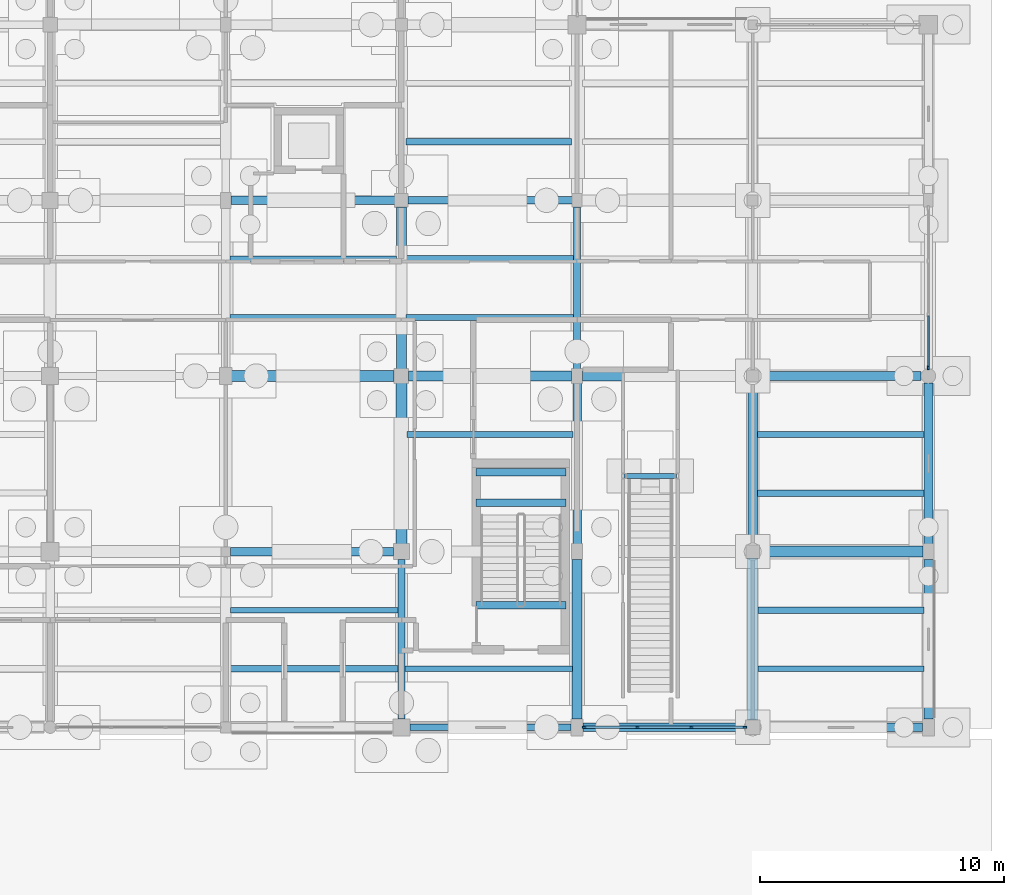
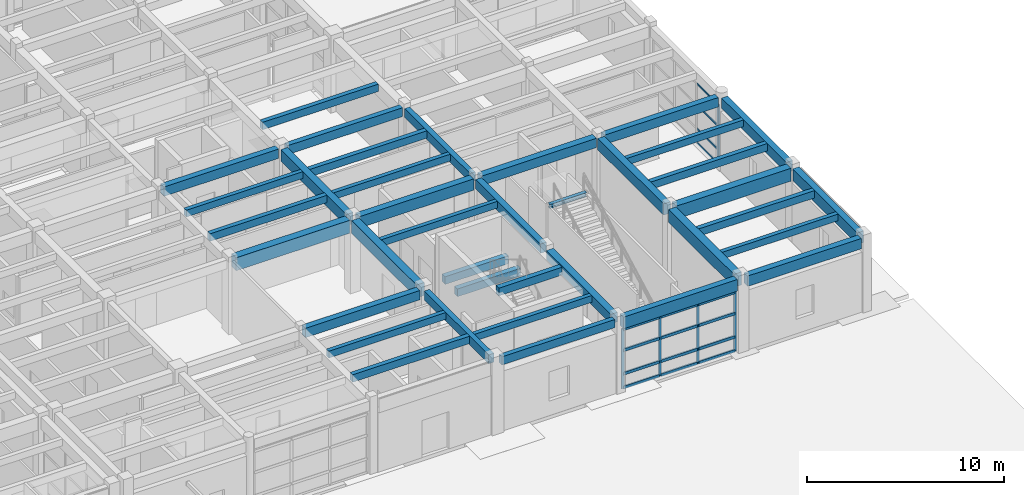
# One storey, part 73 of 143: 38 beams, 21 members, 2 elements without a shape of their own.
"""IFC4 building model written with IfcOpenShell, lengths in metres."""

import ifcopenshell
import ifcopenshell.guid

model = None  # the IFC model being written
_history = None  # IfcOwnerHistory: only IFC2X3 demands one
_inside = {}  # id of a spatial element -> (the spatial element, [elements in it])
_under = {}  # id of a project, library or spatial element -> (it, [spatial elements below it])
_declared = {}  # id of a project -> (the project, [libraries it declares])
_typed = {}  # id of a type object -> (the type object, [elements of that type])
_made_of = {}  # id of a material, layer set ... -> (it, [elements and type objects made of it])


def new_model(schema):
    """Start an empty IFC model of exactly this schema.

    Asked for "IFC4X3", IfcOpenShell would pick the latest addendum, in which some entities
    have other attributes; the version numbers below select the first issue.
    IFC2X3 requires an IfcOwnerHistory on every rooted entity: one is made here for all.
    """
    global model, _history
    if schema == "IFC4X3":
        model = ifcopenshell.file(schema_version=(4, 3, 0, 0))
    else:
        model = ifcopenshell.file(schema=schema)
    _inside.clear()
    _under.clear()
    _declared.clear()
    _typed.clear()
    _made_of.clear()
    _history = None
    if model.schema == "IFC2X3":
        org = make("IfcOrganization", Name="unknown")
        user = make(
            "IfcPersonAndOrganization",
            ThePerson=make("IfcPerson", FamilyName="unknown"),
            TheOrganization=org,
        )
        app = make(
            "IfcApplication",
            ApplicationDeveloper=org,
            Version="unknown",
            ApplicationFullName="unknown",
            ApplicationIdentifier="unknown",
        )
        _history = make(
            "IfcOwnerHistory",
            OwningUser=user,
            OwningApplication=app,
            ChangeAction="ADDED",
            CreationDate=0,
        )
    return model


def make(cls, **values):
    """One entity of the class cls with the attributes given. An attribute that is None is left unset."""
    return model.create_entity(
        cls, **{name: value for name, value in values.items() if value is not None}
    )


def rooted(cls, **values):
    """An entity with a GlobalId (a new one), such as an element, a storey or a relation."""
    return make(cls, GlobalId=ifcopenshell.guid.new(), OwnerHistory=_history, **values)


def si_unit(unit_type, name, prefix=None):
    """IfcSIUnit, for example si_unit("LENGTHUNIT", "METRE", prefix="MILLI")."""
    return make("IfcSIUnit", UnitType=unit_type, Prefix=prefix, Name=name)


def assignment(units):
    """IfcUnitAssignment: the units of a project."""
    return None if units is None else make("IfcUnitAssignment", Units=units)


def point(xyz):
    """IfcCartesianPoint."""
    return None if xyz is None else make("IfcCartesianPoint", Coordinates=xyz)


def direction(xyz):
    """IfcDirection."""
    return None if xyz is None else make("IfcDirection", DirectionRatios=xyz)


def frame(location, z_axis=None, x_axis=None):
    """IfcAxis2Placement3D, a coordinate frame: its origin and axes. An axis left out is left unset."""
    return make(
        "IfcAxis2Placement3D",
        Location=point(location),
        Axis=direction(z_axis),
        RefDirection=direction(x_axis),
    )


def frame_2d(location, x_axis=None):
    """IfcAxis2Placement2D, a coordinate frame in the plane: its origin and x axis."""
    return make(
        "IfcAxis2Placement2D", Location=point(location), RefDirection=direction(x_axis)
    )


def origin():
    """The frame at (0, 0, 0) with its axes left unset."""
    return frame((0.0, 0.0, 0.0))


def origin_2d():
    """The frame at (0, 0) in the plane with its x axis left unset."""
    return frame_2d((0.0, 0.0))


def place(relative_to, where):
    """IfcLocalPlacement: puts the frame where relative to a parent placement (None: the world)."""
    return make(
        "IfcLocalPlacement", PlacementRelTo=relative_to, RelativePlacement=where
    )


def context(
    kind, dimensions, precision=None, world=None, true_north=None, identifier=None
):
    """IfcGeometricRepresentationContext, for example the 3D "Model" context."""
    return make(
        "IfcGeometricRepresentationContext",
        ContextIdentifier=identifier,
        ContextType=kind,
        CoordinateSpaceDimension=dimensions,
        Precision=precision,
        WorldCoordinateSystem=world,
        TrueNorth=true_north,
    )


def subcontext(parent, identifier, kind, view, scale=None):
    """IfcGeometricRepresentationSubContext, for example "Body" below "Model"."""
    return make(
        "IfcGeometricRepresentationSubContext",
        ContextIdentifier=identifier,
        ContextType=kind,
        ParentContext=parent,
        TargetScale=scale,
        TargetView=view,
    )


def project(units=None, contexts=None):
    """IfcProject with its units and contexts."""
    return rooted(
        "IfcProject",
        Name="project",
        RepresentationContexts=contexts,
        UnitsInContext=assignment(units),
    )


def spatial(cls, under=None, at=None, **own):
    """A site, building, storey or space (cls), placed at a placement, below another one or the project."""
    s = rooted(cls, ObjectPlacement=at, **own)
    if under is not None:
        _under.setdefault(under.id(), (under, []))[1].append(s)
    return s


def profile(cls, at=None, kind="AREA", **sizes):
    """A parametric profile (cls). Its sizes go by their IFC names, for example OverallWidth=200.0."""
    return make(cls, ProfileType=kind, Position=at, **sizes)


def rectangle(**sizes):
    """IfcRectangleProfileDef."""
    return profile("IfcRectangleProfileDef", **sizes)


def i_section(**sizes):
    """IfcIShapeProfileDef."""
    return profile("IfcIShapeProfileDef", **sizes)


def extrude(swept, where, along, depth):
    """IfcExtrudedAreaSolid: the profile swept, set in the frame where, extruded along a direction by depth."""
    return make(
        "IfcExtrudedAreaSolid",
        SweptArea=swept,
        Position=where,
        ExtrudedDirection=direction(along),
        Depth=depth,
    )


def shape(context_of_items, identifier, shape_type, items):
    """IfcShapeRepresentation: the items that make up one representation, for example the "Body"."""
    return make(
        "IfcShapeRepresentation",
        ContextOfItems=context_of_items,
        RepresentationIdentifier=identifier,
        RepresentationType=shape_type,
        Items=items,
    )


def material(Name=None, Category=None):
    """IfcMaterial."""
    return make("IfcMaterial", Name=Name, Category=Category)


def material_profile(
    of_material, cross_section, Name=None, Category=None, Priority=None
):
    """IfcMaterialProfile: a cross section and its material."""
    return make(
        "IfcMaterialProfile",
        Name=Name,
        Material=of_material,
        Profile=cross_section,
        Priority=Priority,
        Category=Category,
    )


def profile_set(profiles, Name=None, composite=None):
    """IfcMaterialProfileSet."""
    return make(
        "IfcMaterialProfileSet",
        Name=Name,
        MaterialProfiles=profiles,
        CompositeProfile=composite,
    )


def made_of(thing, what):
    """Note that an element or type object is made of a material, layer set ...; save() writes the relation."""
    if what is not None:
        _made_of.setdefault(what.id(), (what, []))[1].append(thing)
    return thing


def type_object(cls, material=None, **own):
    """A type object (cls), such as IfcWallType, which elements share."""
    return made_of(rooted(cls, **own), material)


def element(
    cls,
    number,
    at=None,
    inside=None,
    cuts=None,
    type_object=None,
    material=None,
    context=None,
    identifier="Body",
    shape_type=None,
    held_by="IfcProductDefinitionShape",
    body=None,
    shapes=None,
    **own,
):
    """One element of the class cls, such as IfcWall. Its Tag is "e" and its number.

    at: its placement. inside: the storey or other place that contains it. cuts: it is an
    opening in that element (IfcRelVoidsElement). A single representation is given by context,
    identifier, shape_type and body (its items); several are given by shapes. held_by: the class
    of the entity that holds the representations. save() writes the other relations.
    """
    e = rooted(cls, Tag="e%d" % number, ObjectPlacement=at, **own)
    if body is not None:
        shapes = [shape(context, identifier, shape_type, body)]
    if shapes is not None:
        e.Representation = make(held_by, Representations=shapes)
    if inside is not None:
        _inside.setdefault(inside.id(), (inside, []))[1].append(e)
    if cuts is not None:
        rooted(
            "IfcRelVoidsElement", RelatingBuildingElement=cuts, RelatedOpeningElement=e
        )
    if type_object is not None:
        _typed.setdefault(type_object.id(), (type_object, []))[1].append(e)
    return made_of(e, material)


def aggregate(whole, parts):
    """IfcRelAggregates: a whole, such as a stair, and the parts it consists of."""
    return rooted("IfcRelAggregates", RelatingObject=whole, RelatedObjects=parts)


def save(model, path):
    """Write the relations noted so far, then the file.

    IfcRelAggregates (storeys below a building ...), IfcRelContainedInSpatialStructure (elements
    in a storey), IfcRelDefinesByType, IfcRelAssociatesMaterial and IfcRelDeclares: one each for
    every whole, place, type object, material and project.
    """
    for whole, parts in _under.values():
        aggregate(whole, parts)
    for where, things in _inside.values():
        rooted(
            "IfcRelContainedInSpatialStructure",
            RelatedElements=things,
            RelatingStructure=where,
        )
    for kind, things in _typed.values():
        rooted("IfcRelDefinesByType", RelatedObjects=things, RelatingType=kind)
    for what, things in _made_of.values():
        rooted("IfcRelAssociatesMaterial", RelatedObjects=things, RelatingMaterial=what)
    for by, libraries in _declared.values():
        rooted("IfcRelDeclares", RelatingContext=by, RelatedDefinitions=libraries)
    model.write(path)


model = new_model("IFC4")

# Units and contexts
model_context = context("Model", 3, precision=1e-05, world=origin(), true_north=direction((0.0, 1.0)))
body_context = subcontext(model_context, "Body", "Model", "MODEL_VIEW")
ifc_project = project(units=[si_unit("LENGTHUNIT", "METRE"), si_unit("AREAUNIT", "SQUARE_METRE"), si_unit("VOLUMEUNIT", "CUBIC_METRE"), si_unit("PLANEANGLEUNIT", "RADIAN"), si_unit("MASSUNIT", "GRAM", prefix="KILO")], contexts=[model_context])

# Site, building, storey
site_placement = place(None, origin())
site = spatial("IfcSite", under=ifc_project, at=site_placement, CompositionType="ELEMENT")
building_placement = place(site_placement, origin())
building = spatial("IfcBuilding", under=site, at=building_placement, Name="Steenspoor Specialist Clinic", CompositionType="ELEMENT")
storey_placement = place(building_placement, origin())
storey = spatial("IfcBuildingStorey", under=building, at=storey_placement, Name="L00", CompositionType="ELEMENT", Elevation=0.0)

# Beams
ifc_material_1 = material(Name="Concrete C35/45", Category="concrete")
ifc_material_profile_1 = material_profile(ifc_material_1, rectangle(XDim=0.300048828125, YDim=0.47998046875, at=origin_2d()), Name="RC-BM-300X480")
ifc_profile_set_1 = profile_set([ifc_material_profile_1], Name="Concrete C35/45")
beam_type_1 = type_object("IfcBeamType", Name="BM-RC-300X480", PredefinedType="BEAM", material=ifc_profile_set_1)
for number, where, z_axis, x_axis, name in (
    (1, (142.64990234375, 74.35009765625, 1.9599609375), (1.0, 0.0, 0.0), (0.0, 1.0, 0.0), "Stair Mid-Landing Bearer 1 ST-V6B L00"),
    (2, (142.64990234375, 75.60009765625, 1.9599609375), (1.0, 0.0, 0.0), (0.0, 1.0, 0.0), "Stair Mid-Landing Bearer 2 ST-V6B L00"),
    (3, (142.64990234375, 70.14990234375, 4.56005859375), (1.0, 0.0, 0.0), (0.0, 1.0, 0.0), "Stair Well Trimmer Beam ST-V6B L00"),
):
    element("IfcBeam", number, at=place(storey_placement, frame(where, z_axis=z_axis, x_axis=x_axis)), inside=storey, type_object=beam_type_1, Name=name, PredefinedType="BEAM", context=body_context, shape_type="SweptSolid", body=[
        extrude(rectangle(XDim=0.300048828125, YDim=0.47998046875, at=origin_2d()), origin(), (0.0, 0.0, 1.0), 3.7001953125),
    ])
ifc_material_profile_2 = material_profile(ifc_material_1, rectangle(XDim=0.300048828125, YDim=0.550048828125, at=origin_2d()), Name="RC-BM-300X550")
ifc_profile_set_2 = profile_set([ifc_material_profile_2], Name="Concrete C35/45")
beam_type_2 = type_object("IfcBeamType", Name="BM-RC-300X550", PredefinedType="BEAM", material=ifc_profile_set_2)
beam_1_placement = place(storey_placement, frame((139.8701171875, 86.75, 4.2451171875), z_axis=(1.0, 0.0, 0.0), x_axis=(0.0, 1.0, 0.0)))
element("IfcBeam", 4, at=beam_1_placement, inside=storey, type_object=beam_type_2, Name="BM-V6-L00-X1375", PredefinedType="BEAM", context=body_context, shape_type="SweptSolid", body=[
    extrude(rectangle(XDim=0.300048828125, YDim=0.550048828125, at=origin_2d()), origin(), (0.0, 0.0, 1.0), 6.73486328125),
])
beam_2_placement = place(storey_placement, frame((139.60009765625, 65.4951171875, 4.2451171875), z_axis=(0.0, 1.0, 0.0), x_axis=(-1.0, 0.0, 0.0)))
element("IfcBeam", 5, at=beam_2_placement, inside=storey, type_object=beam_type_2, Name="BM-V6-L00-Y1408", PredefinedType="BEAM", context=body_context, shape_type="SweptSolid", body=[
    extrude(rectangle(XDim=0.300048828125, YDim=0.550048828125, at=origin_2d()), origin(), (0.0, 0.0, 1.0), 6.534912109375),
])
beam_3_placement = place(storey_placement, frame((146.800048828125, 79.844970703125, 4.2451171875), z_axis=(0.0, 1.0, 0.0), x_axis=(-1.0, 0.0, 0.0)))
element("IfcBeam", 6, at=beam_3_placement, inside=storey, type_object=beam_type_2, Name="BM-V6-L00-Y1416", PredefinedType="BEAM", context=body_context, shape_type="SweptSolid", body=[
    extrude(rectangle(XDim=0.300048828125, YDim=0.550048828125, at=origin_2d()), origin(), (0.0, 0.0, 1.0), 6.635009765625),
])
ifc_material_profile_3 = material_profile(ifc_material_1, rectangle(XDim=0.35009765625, YDim=0.580078125, at=origin_2d()), Name="RC-BM-350X580")
ifc_profile_set_3 = profile_set([ifc_material_profile_3], Name="Concrete C35/45")
beam_type_3 = type_object("IfcBeamType", Name="BM-RC-350X580", PredefinedType="BEAM", material=ifc_profile_set_3)
beam_4_placement = place(storey_placement, frame((132.594970703125, 72.35009765625, 4.22998046875), z_axis=(1.0, 0.0, 0.0), x_axis=(0.0, 1.0, 0.0)))
element("IfcBeam", 7, at=beam_4_placement, inside=storey, type_object=beam_type_3, Name="BM-V6-L00-X1364", PredefinedType="BEAM", context=body_context, shape_type="SweptSolid", body=[
    extrude(rectangle(XDim=0.35009765625, YDim=0.580078125, at=origin_2d()), origin(), (0.0, 0.0, 1.0), 6.68505859375),
])
beam_5_placement = place(storey_placement, frame((154.2451171875, 79.550048828125, 4.22998046875), z_axis=(1.0, 0.0, 0.0), x_axis=(0.0, 1.0, 0.0)))
element("IfcBeam", 8, at=beam_5_placement, inside=storey, type_object=beam_type_3, Name="BM-V6-L00-X1371", PredefinedType="BEAM", context=body_context, shape_type="SweptSolid", body=[
    extrude(rectangle(XDim=0.35009765625, YDim=0.580078125, at=origin_2d()), origin(), (0.0, 0.0, 1.0), 6.659912109375),
])
beam_6_placement = place(storey_placement, frame((132.6201171875, 86.75, 4.22998046875), z_axis=(1.0, 0.0, 0.0), x_axis=(0.0, 1.0, 0.0)))
element("IfcBeam", 9, at=beam_6_placement, inside=storey, type_object=beam_type_3, Name="BM-V6-L00-X1374", PredefinedType="BEAM", context=body_context, shape_type="SweptSolid", body=[
    extrude(rectangle(XDim=0.35009765625, YDim=0.580078125, at=origin_2d()), origin(), (0.0, 0.0, 1.0), 6.7099609375),
])
beam_7_placement = place(storey_placement, frame((146.800048828125, 72.669921875, 4.22998046875), z_axis=(0.0, 1.0, 0.0), x_axis=(-1.0, 0.0, 0.0)))
element("IfcBeam", 10, at=beam_7_placement, inside=storey, type_object=beam_type_3, Name="BM-V6-L00-Y1415", PredefinedType="BEAM", context=body_context, shape_type="SweptSolid", body=[
    extrude(rectangle(XDim=0.35009765625, YDim=0.580078125, at=origin_2d()), origin(), (0.0, 0.0, 1.0), 6.5849609375),
])
ifc_material_profile_4 = material_profile(ifc_material_1, rectangle(XDim=0.39990234375, YDim=0.580078125, at=origin_2d()), Name="RC-BM-400X580")
ifc_profile_set_4 = profile_set([ifc_material_profile_4], Name="Concrete C35/45")
beam_type_4 = type_object("IfcBeamType", Name="BM-RC-400X580", PredefinedType="BEAM", material=ifc_profile_set_4)
beam_8_placement = place(storey_placement, frame((147.02001953125, 79.550048828125, 4.22998046875), z_axis=(1.0, 0.0, 0.0), x_axis=(0.0, 1.0, 0.0)))
element("IfcBeam", 11, at=beam_8_placement, inside=storey, type_object=beam_type_4, Name="BM-V6-L00-X1370", PredefinedType="BEAM", context=body_context, shape_type="SweptSolid", body=[
    extrude(rectangle(XDim=0.39990234375, YDim=0.580078125, at=origin_2d()), origin(), (0.0, 0.0, 1.0), 6.73486328125),
])
beam_9_placement = place(storey_placement, frame((146.800048828125, 65.4951171875, 4.22998046875), z_axis=(0.0, 1.0, 0.0), x_axis=(-1.0, 0.0, 0.0)))
element("IfcBeam", 12, at=beam_9_placement, inside=storey, type_object=beam_type_4, Name="BM-V6-L00-Y1414", PredefinedType="BEAM", context=body_context, shape_type="SweptSolid", body=[
    extrude(rectangle(XDim=0.39990234375, YDim=0.580078125, at=origin_2d()), origin(), (0.0, 0.0, 1.0), 6.534912109375),
])
ifc_material_profile_5 = material_profile(ifc_material_1, rectangle(XDim=0.39990234375, YDim=0.699951171875, at=origin_2d()), Name="RC-BM-400X700")
ifc_profile_set_5 = profile_set([ifc_material_profile_5], Name="Concrete C35/45")
beam_type_5 = type_object("IfcBeamType", Name="BM-RC-400X700", PredefinedType="BEAM", material=ifc_profile_set_5)
beam_10_placement = place(storey_placement, frame((139.89501953125, 79.550048828125, 4.169921875), z_axis=(1.0, 0.0, 0.0), x_axis=(0.0, 1.0, 0.0)))
element("IfcBeam", 13, at=beam_10_placement, inside=storey, type_object=beam_type_5, Name="BM-V6-L00-X1369", PredefinedType="BEAM", context=body_context, shape_type="SweptSolid", body=[
    extrude(rectangle(XDim=0.39990234375, YDim=0.699951171875, at=origin_2d()), origin(), (0.0, 0.0, 1.0), 6.68505859375),
])
beam_11_placement = place(storey_placement, frame((139.60009765625, 79.844970703125, 4.169921875), z_axis=(0.0, 1.0, 0.0), x_axis=(-1.0, 0.0, 0.0)))
element("IfcBeam", 14, at=beam_11_placement, inside=storey, type_object=beam_type_5, Name="BM-V6-L00-Y1410", PredefinedType="BEAM", context=body_context, shape_type="SweptSolid", body=[
    extrude(rectangle(XDim=0.39990234375, YDim=0.699951171875, at=origin_2d()), origin(), (0.0, 0.0, 1.0), 6.635009765625),
])
beam_12_placement = place(storey_placement, frame((154.0, 72.6201171875, 4.169921875), z_axis=(0.0, 1.0, 0.0), x_axis=(-1.0, 0.0, 0.0)))
element("IfcBeam", 15, at=beam_12_placement, inside=storey, type_object=beam_type_5, Name="BM-V6-L00-Y1421", PredefinedType="BEAM", context=body_context, shape_type="SweptSolid", body=[
    extrude(rectangle(XDim=0.39990234375, YDim=0.699951171875, at=origin_2d()), origin(), (0.0, 0.0, 1.0), 6.684814453125),
])
ifc_material_profile_6 = material_profile(ifc_material_1, rectangle(XDim=0.449951171875, YDim=0.800048828125, at=origin_2d()), Name="RC-BM-450X800")
ifc_profile_set_6 = profile_set([ifc_material_profile_6], Name="Concrete C35/45")
beam_type_6 = type_object("IfcBeamType", Name="BM-RC-450X800", PredefinedType="BEAM", material=ifc_profile_set_6)
beam_13_placement = place(storey_placement, frame((154.27001953125, 72.35009765625, 4.1201171875), z_axis=(1.0, 0.0, 0.0), x_axis=(0.0, 1.0, 0.0)))
element("IfcBeam", 16, at=beam_13_placement, inside=storey, type_object=beam_type_6, Name="BM-V6-L00-X1365", PredefinedType="BEAM", context=body_context, shape_type="SweptSolid", body=[
    extrude(rectangle(XDim=0.449951171875, YDim=0.800048828125, at=origin_2d()), origin(), (0.0, 0.0, 1.0), 6.7099609375),
])
beam_14_placement = place(storey_placement, frame((132.64501953125, 79.550048828125, 4.1201171875), z_axis=(1.0, 0.0, 0.0), x_axis=(0.0, 1.0, 0.0)))
element("IfcBeam", 17, at=beam_14_placement, inside=storey, type_object=beam_type_6, Name="BM-V6-L00-X1368", PredefinedType="BEAM", context=body_context, shape_type="SweptSolid", body=[
    extrude(rectangle(XDim=0.449951171875, YDim=0.800048828125, at=origin_2d()), origin(), (0.0, 0.0, 1.0), 6.659912109375),
])
beam_15_placement = place(storey_placement, frame((139.60009765625, 72.669921875, 4.1201171875), z_axis=(0.0, 1.0, 0.0), x_axis=(-1.0, 0.0, 0.0)))
element("IfcBeam", 18, at=beam_15_placement, inside=storey, type_object=beam_type_6, Name="BM-V6-L00-Y1409", PredefinedType="BEAM", context=body_context, shape_type="SweptSolid", body=[
    extrude(rectangle(XDim=0.449951171875, YDim=0.800048828125, at=origin_2d()), origin(), (0.0, 0.0, 1.0), 6.5849609375),
])
beam_16_placement = place(storey_placement, frame((154.0, 65.445068359375, 4.1201171875), z_axis=(0.0, 1.0, 0.0), x_axis=(-1.0, 0.0, 0.0)))
element("IfcBeam", 19, at=beam_16_placement, inside=storey, type_object=beam_type_6, Name="BM-V6-L00-Y1420", PredefinedType="BEAM", context=body_context, shape_type="SweptSolid", body=[
    extrude(rectangle(XDim=0.449951171875, YDim=0.800048828125, at=origin_2d()), origin(), (0.0, 0.0, 1.0), 6.635009765625),
])
ifc_material_2 = material(Name="Steel A992 Grade 50", Category="steel")
ifc_material_profile_7 = material_profile(ifc_material_2, i_section(OverallWidth=0.202880859375, OverallDepth=0.251953125, WebThickness=0.008056640625, FlangeThickness=0.013427734375, at=origin_2d()), Name="W250X58")
ifc_profile_set_7 = profile_set([ifc_material_profile_7], Name="Steel A992 Grade 50")
beam_type_7 = type_object("IfcBeamType", Name="BM-ST-W250X58", PredefinedType="JOIST", material=ifc_profile_set_7)
beam_17_placement = place(storey_placement, frame((148.72509765625, 75.449951171875, 4.469970703125), z_axis=(1.0, 0.0, 0.0), x_axis=(0.0, 1.0, 0.0)))
element("IfcBeam", 20, at=beam_17_placement, inside=storey, type_object=beam_type_7, Name="Feature Stair Landing Bearer ST-F04", PredefinedType="JOIST", context=body_context, shape_type="SweptSolid", body=[
    extrude(i_section(OverallWidth=0.202880859375, OverallDepth=0.251953125, WebThickness=0.008056640625, FlangeThickness=0.013427734375, at=origin_2d()), origin(), (0.0, 0.0, 1.0), 2.14990234375),
])

# Curtain wall, members
ifc_material_3 = material(Name="Thermally broken aluminium and low-emissivity glass", Category="aluminium")
curtain_wall_type_1 = type_object("IfcCurtainWallType", Name="CW-WLK-640X340", PredefinedType="USERDEFINED", material=ifc_material_3)
curtain_wall_1_placement = place(storey_placement, origin())
curtain_wall_1 = element("IfcCurtainWall", 21, at=curtain_wall_1_placement, inside=storey, type_object=curtain_wall_type_1, Name="Unitised Curtain Wall CW-V6-L00-164", ObjectType="UNITISED GLAZING", PredefinedType="USERDEFINED")
ifc_material_4 = material(Name="Thermally broken aluminium 6063-T6", Category="aluminium")
ifc_material_profile_8 = material_profile(ifc_material_4, rectangle(XDim=0.070068359375, YDim=0.1650390625, at=origin_2d()), Name="CWM-70X165")
ifc_profile_set_8 = profile_set([ifc_material_profile_8], Name="Thermally broken aluminium 6063-T6")
member_type_1 = type_object("IfcMemberType", Name="CW-MULL-70X165", PredefinedType="MULLION", material=ifc_profile_set_8)
member_1_placement = place(storey_placement, frame((153.6650390625, 65.14990234375, 0.0), z_axis=(0.0, 0.0, 1.0), x_axis=(0.0, -1.0, 0.0)))
member_1 = element("IfcMember", 22, at=member_1_placement, type_object=member_type_1, Name="CW-20 mullion 1", PredefinedType="MULLION", context=body_context, shape_type="SweptSolid", body=[
    extrude(rectangle(XDim=0.070068359375, YDim=0.1650390625, at=origin_2d()), origin(), (0.0, 0.0, 1.0), 3.699951171875),
])
member_2_placement = place(storey_placement, frame((151.4833984375, 65.14990234375, 0.0), z_axis=(0.0, 0.0, 1.0), x_axis=(0.0, -1.0, 0.0)))
member_2 = element("IfcMember", 23, at=member_2_placement, type_object=member_type_1, Name="CW-20 mullion 2", PredefinedType="MULLION", context=body_context, shape_type="SweptSolid", body=[
    extrude(rectangle(XDim=0.070068359375, YDim=0.1650390625, at=origin_2d()), origin(), (0.0, 0.0, 1.0), 3.699951171875),
])
member_3_placement = place(storey_placement, frame((149.2666015625, 65.14990234375, 0.0), z_axis=(0.0, 0.0, 1.0), x_axis=(0.0, -1.0, 0.0)))
member_3 = element("IfcMember", 24, at=member_3_placement, type_object=member_type_1, Name="CW-20 mullion 3", PredefinedType="MULLION", context=body_context, shape_type="SweptSolid", body=[
    extrude(rectangle(XDim=0.070068359375, YDim=0.1650390625, at=origin_2d()), origin(), (0.0, 0.0, 1.0), 3.699951171875),
])
member_4_placement = place(storey_placement, frame((147.0849609375, 65.14990234375, 0.0), z_axis=(0.0, 0.0, 1.0), x_axis=(0.0, -1.0, 0.0)))
member_4 = element("IfcMember", 25, at=member_4_placement, type_object=member_type_1, Name="CW-20 mullion 4", PredefinedType="MULLION", context=body_context, shape_type="SweptSolid", body=[
    extrude(rectangle(XDim=0.070068359375, YDim=0.1650390625, at=origin_2d()), origin(), (0.0, 0.0, 1.0), 3.699951171875),
])

curtain_wall_type_2 = type_object("IfcCurtainWallType", Name="CW-SCR-360X320", PredefinedType="USERDEFINED", material=ifc_material_3)
curtain_wall_2_placement = place(storey_placement, origin())
curtain_wall_2 = element("IfcCurtainWall", 26, at=curtain_wall_2_placement, inside=storey, type_object=curtain_wall_type_2, Name="Unitised Curtain Wall CW-V6-L00-163", ObjectType="UNITISED GLAZING", PredefinedType="USERDEFINED")
ifc_material_profile_9 = material_profile(ifc_material_4, rectangle(XDim=0.080078125, YDim=0.179931640625, at=origin_2d()), Name="CWM-80X180")
ifc_profile_set_9 = profile_set([ifc_material_profile_9], Name="Thermally broken aluminium 6063-T6")
member_type_2 = type_object("IfcMemberType", Name="CW-MULL-80X180", PredefinedType="MULLION", material=ifc_profile_set_9)
member_5_placement = place(storey_placement, frame((161.199951171875, 79.889892578125, 0.0), z_axis=(0.0, 0.0, 1.0), x_axis=(1.0, 0.0, 0.0)))
member_5 = element("IfcMember", 27, at=member_5_placement, type_object=member_type_2, Name="CW-19 mullion 4", PredefinedType="MULLION", context=body_context, shape_type="SweptSolid", body=[
    extrude(rectangle(XDim=0.080078125, YDim=0.179931640625, at=origin_2d()), origin(), (0.0, 0.0, 1.0), 3.699951171875),
])
ifc_material_profile_10 = material_profile(ifc_material_4, rectangle(XDim=0.06005859375, YDim=0.114990234375, at=origin_2d()), Name="CWT-60X115")
ifc_profile_set_10 = profile_set([ifc_material_profile_10], Name="Thermally broken aluminium 6063-T6")
member_type_3 = type_object("IfcMemberType", Name="CW-TRAN-60X115", PredefinedType="USERDEFINED", material=ifc_profile_set_10)
member_6_placement = place(storey_placement, frame((161.199951171875, 82.018310546875, 0.030029296875), z_axis=(0.0, -1.0, 0.0), x_axis=(1.0, 0.0, 0.0)))
member_6 = element("IfcMember", 28, at=member_6_placement, type_object=member_type_3, Name="CW-19 transom 3.1", ObjectType="TRANSOM", PredefinedType="USERDEFINED", context=body_context, shape_type="SweptSolid", body=[
    extrude(rectangle(XDim=0.06005859375, YDim=0.114990234375, at=origin_2d()), origin(), (0.0, 0.0, 1.0), 2.08837890625),
])
member_7_placement = place(storey_placement, frame((161.199951171875, 82.018310546875, 0.89990234375), z_axis=(0.0, -1.0, 0.0), x_axis=(1.0, 0.0, 0.0)))
member_7 = element("IfcMember", 29, at=member_7_placement, type_object=member_type_3, Name="CW-19 transom 3.2", ObjectType="TRANSOM", PredefinedType="USERDEFINED", context=body_context, shape_type="SweptSolid", body=[
    extrude(rectangle(XDim=0.06005859375, YDim=0.114990234375, at=origin_2d()), origin(), (0.0, 0.0, 1.0), 2.08837890625),
])
member_8_placement = place(storey_placement, frame((161.199951171875, 82.018310546875, 2.35009765625), z_axis=(0.0, -1.0, 0.0), x_axis=(1.0, 0.0, 0.0)))
member_8 = element("IfcMember", 30, at=member_8_placement, type_object=member_type_3, Name="CW-19 transom 3.3", ObjectType="TRANSOM", PredefinedType="USERDEFINED", context=body_context, shape_type="SweptSolid", body=[
    extrude(rectangle(XDim=0.06005859375, YDim=0.114990234375, at=origin_2d()), origin(), (0.0, 0.0, 1.0), 2.08837890625),
])
member_9_placement = place(storey_placement, frame((161.199951171875, 82.018310546875, 3.669921875), z_axis=(0.0, -1.0, 0.0), x_axis=(1.0, 0.0, 0.0)))
member_9 = element("IfcMember", 31, at=member_9_placement, type_object=member_type_3, Name="CW-19 transom 3.4", ObjectType="TRANSOM", PredefinedType="USERDEFINED", context=body_context, shape_type="SweptSolid", body=[
    extrude(rectangle(XDim=0.06005859375, YDim=0.114990234375, at=origin_2d()), origin(), (0.0, 0.0, 1.0), 2.08837890625),
])
aggregate(curtain_wall_2, [member_5, member_6, member_7, member_8, member_9])

# Member
ifc_material_profile_11 = material_profile(ifc_material_4, rectangle(XDim=0.090087890625, YDim=0.175048828125, at=origin_2d()), Name="CWT-90X175")
ifc_profile_set_11 = profile_set([ifc_material_profile_11], Name="Thermally broken aluminium 6063-T6")
member_type_4 = type_object("IfcMemberType", Name="CW-TRAN-90X175", PredefinedType="USERDEFINED", material=ifc_profile_set_11)
member_10_placement = place(storey_placement, frame((153.6298828125, 65.14990234375, 0.044921875), z_axis=(-1.0, 0.0, 0.0), x_axis=(0.0, -1.0, 0.0)))
member_10 = element("IfcMember", 32, at=member_10_placement, type_object=member_type_4, Name="CW-20 transom 1.1", ObjectType="TRANSOM", PredefinedType="USERDEFINED", context=body_context, shape_type="SweptSolid", body=[
    extrude(rectangle(XDim=0.090087890625, YDim=0.175048828125, at=origin_2d()), origin(), (0.0, 0.0, 1.0), 2.111572265625),
])

member_11_placement = place(storey_placement, frame((153.6298828125, 65.14990234375, 0.89990234375), z_axis=(-1.0, 0.0, 0.0), x_axis=(0.0, -1.0, 0.0)))
member_11 = element("IfcMember", 33, at=member_11_placement, type_object=member_type_4, Name="CW-20 transom 1.2", ObjectType="TRANSOM", PredefinedType="USERDEFINED", context=body_context, shape_type="SweptSolid", body=[
    extrude(rectangle(XDim=0.090087890625, YDim=0.175048828125, at=origin_2d()), origin(), (0.0, 0.0, 1.0), 2.111572265625),
])

member_12_placement = place(storey_placement, frame((153.6298828125, 65.14990234375, 2.35009765625), z_axis=(-1.0, 0.0, 0.0), x_axis=(0.0, -1.0, 0.0)))
member_12 = element("IfcMember", 34, at=member_12_placement, type_object=member_type_4, Name="CW-20 transom 1.3", ObjectType="TRANSOM", PredefinedType="USERDEFINED", context=body_context, shape_type="SweptSolid", body=[
    extrude(rectangle(XDim=0.090087890625, YDim=0.175048828125, at=origin_2d()), origin(), (0.0, 0.0, 1.0), 2.111572265625),
])

member_13_placement = place(storey_placement, frame((153.6298828125, 65.14990234375, 3.655029296875), z_axis=(-1.0, 0.0, 0.0), x_axis=(0.0, -1.0, 0.0)))
member_13 = element("IfcMember", 35, at=member_13_placement, type_object=member_type_4, Name="CW-20 transom 1.4", ObjectType="TRANSOM", PredefinedType="USERDEFINED", context=body_context, shape_type="SweptSolid", body=[
    extrude(rectangle(XDim=0.090087890625, YDim=0.175048828125, at=origin_2d()), origin(), (0.0, 0.0, 1.0), 2.111572265625),
])

member_14_placement = place(storey_placement, frame((151.4482421875, 65.14990234375, 0.044921875), z_axis=(-1.0, 0.0, 0.0), x_axis=(0.0, -1.0, 0.0)))
member_14 = element("IfcMember", 36, at=member_14_placement, type_object=member_type_4, Name="CW-20 transom 2.1", ObjectType="TRANSOM", PredefinedType="USERDEFINED", context=body_context, shape_type="SweptSolid", body=[
    extrude(rectangle(XDim=0.090087890625, YDim=0.175048828125, at=origin_2d()), origin(), (0.0, 0.0, 1.0), 2.146484375),
])

member_15_placement = place(storey_placement, frame((151.4482421875, 65.14990234375, 0.89990234375), z_axis=(-1.0, 0.0, 0.0), x_axis=(0.0, -1.0, 0.0)))
member_15 = element("IfcMember", 37, at=member_15_placement, type_object=member_type_4, Name="CW-20 transom 2.2", ObjectType="TRANSOM", PredefinedType="USERDEFINED", context=body_context, shape_type="SweptSolid", body=[
    extrude(rectangle(XDim=0.090087890625, YDim=0.175048828125, at=origin_2d()), origin(), (0.0, 0.0, 1.0), 2.146484375),
])

member_16_placement = place(storey_placement, frame((151.4482421875, 65.14990234375, 2.35009765625), z_axis=(-1.0, 0.0, 0.0), x_axis=(0.0, -1.0, 0.0)))
member_16 = element("IfcMember", 38, at=member_16_placement, type_object=member_type_4, Name="CW-20 transom 2.3", ObjectType="TRANSOM", PredefinedType="USERDEFINED", context=body_context, shape_type="SweptSolid", body=[
    extrude(rectangle(XDim=0.090087890625, YDim=0.175048828125, at=origin_2d()), origin(), (0.0, 0.0, 1.0), 2.146484375),
])

member_17_placement = place(storey_placement, frame((151.4482421875, 65.14990234375, 3.655029296875), z_axis=(-1.0, 0.0, 0.0), x_axis=(0.0, -1.0, 0.0)))
member_17 = element("IfcMember", 39, at=member_17_placement, type_object=member_type_4, Name="CW-20 transom 2.4", ObjectType="TRANSOM", PredefinedType="USERDEFINED", context=body_context, shape_type="SweptSolid", body=[
    extrude(rectangle(XDim=0.090087890625, YDim=0.175048828125, at=origin_2d()), origin(), (0.0, 0.0, 1.0), 2.146484375),
])

member_18_placement = place(storey_placement, frame((149.231689453125, 65.14990234375, 0.044921875), z_axis=(-1.0, 0.0, 0.0), x_axis=(0.0, -1.0, 0.0)))
member_18 = element("IfcMember", 40, at=member_18_placement, type_object=member_type_4, Name="CW-20 transom 3.1", ObjectType="TRANSOM", PredefinedType="USERDEFINED", context=body_context, shape_type="SweptSolid", body=[
    extrude(rectangle(XDim=0.090087890625, YDim=0.175048828125, at=origin_2d()), origin(), (0.0, 0.0, 1.0), 2.111572265625),
])

member_19_placement = place(storey_placement, frame((149.231689453125, 65.14990234375, 0.89990234375), z_axis=(-1.0, 0.0, 0.0), x_axis=(0.0, -1.0, 0.0)))
member_19 = element("IfcMember", 41, at=member_19_placement, type_object=member_type_4, Name="CW-20 transom 3.2", ObjectType="TRANSOM", PredefinedType="USERDEFINED", context=body_context, shape_type="SweptSolid", body=[
    extrude(rectangle(XDim=0.090087890625, YDim=0.175048828125, at=origin_2d()), origin(), (0.0, 0.0, 1.0), 2.111572265625),
])

member_20_placement = place(storey_placement, frame((149.231689453125, 65.14990234375, 2.35009765625), z_axis=(-1.0, 0.0, 0.0), x_axis=(0.0, -1.0, 0.0)))
member_20 = element("IfcMember", 42, at=member_20_placement, type_object=member_type_4, Name="CW-20 transom 3.3", ObjectType="TRANSOM", PredefinedType="USERDEFINED", context=body_context, shape_type="SweptSolid", body=[
    extrude(rectangle(XDim=0.090087890625, YDim=0.175048828125, at=origin_2d()), origin(), (0.0, 0.0, 1.0), 2.111572265625),
])

member_21_placement = place(storey_placement, frame((149.231689453125, 65.14990234375, 3.655029296875), z_axis=(-1.0, 0.0, 0.0), x_axis=(0.0, -1.0, 0.0)))
member_21 = element("IfcMember", 43, at=member_21_placement, type_object=member_type_4, Name="CW-20 transom 3.4", ObjectType="TRANSOM", PredefinedType="USERDEFINED", context=body_context, shape_type="SweptSolid", body=[
    extrude(rectangle(XDim=0.090087890625, YDim=0.175048828125, at=origin_2d()), origin(), (0.0, 0.0, 1.0), 2.111572265625),
])

aggregate(curtain_wall_1, [member_1, member_2, member_3, member_4, member_10, member_11, member_12, member_13, member_14, member_15, member_16, member_17, member_18, member_19, member_20, member_21])

# Beams
ifc_material_profile_12 = material_profile(ifc_material_1, rectangle(XDim=0.239990234375, YDim=0.419921875, at=origin_2d()), Name="RC-JT-240X420")
ifc_profile_set_12 = profile_set([ifc_material_profile_12], Name="Concrete C35/45")
beam_type_8 = type_object("IfcBeamType", Name="JT-RC-240X420", PredefinedType="JOIST", material=ifc_profile_set_12)
beam_18_placement = place(storey_placement, frame((132.594970703125, 69.949951171875, 4.31005859375), z_axis=(1.0, 0.0, 0.0), x_axis=(0.0, 1.0, 0.0)))
element("IfcBeam", 44, at=beam_18_placement, inside=storey, type_object=beam_type_8, Name="JT-V6-L00-1449", PredefinedType="JOIST", context=body_context, shape_type="SweptSolid", body=[
    extrude(rectangle(XDim=0.239990234375, YDim=0.419921875, at=origin_2d()), origin(), (0.0, 0.0, 1.0), 6.860107421875),
])
beam_19_placement = place(storey_placement, frame((132.570068359375, 84.35009765625, 4.31005859375), z_axis=(1.0, 0.0, 0.0), x_axis=(0.0, 1.0, 0.0)))
element("IfcBeam", 45, at=beam_19_placement, inside=storey, type_object=beam_type_8, Name="JT-V6-L00-1451", PredefinedType="JOIST", context=body_context, shape_type="SweptSolid", body=[
    extrude(rectangle(XDim=0.239990234375, YDim=0.419921875, at=origin_2d()), origin(), (0.0, 0.0, 1.0), 6.8349609375),
])
beam_20_placement = place(storey_placement, frame((139.7451171875, 67.550048828125, 4.31005859375), z_axis=(1.0, 0.0, 0.0), x_axis=(0.0, 1.0, 0.0)))
element("IfcBeam", 46, at=beam_20_placement, inside=storey, type_object=beam_type_8, Name="JT-V6-L00-1457", PredefinedType="JOIST", context=body_context, shape_type="SweptSolid", body=[
    extrude(rectangle(XDim=0.239990234375, YDim=0.419921875, at=origin_2d()), origin(), (0.0, 0.0, 1.0), 6.85986328125),
])
beam_21_placement = place(storey_placement, frame((139.820068359375, 77.14990234375, 4.31005859375), z_axis=(1.0, 0.0, 0.0), x_axis=(0.0, 1.0, 0.0)))
element("IfcBeam", 47, at=beam_21_placement, inside=storey, type_object=beam_type_8, Name="JT-V6-L00-1458", PredefinedType="JOIST", context=body_context, shape_type="SweptSolid", body=[
    extrude(rectangle(XDim=0.239990234375, YDim=0.419921875, at=origin_2d()), origin(), (0.0, 0.0, 1.0), 6.809814453125),
])
beam_22_placement = place(storey_placement, frame((139.794921875, 81.949951171875, 4.31005859375), z_axis=(1.0, 0.0, 0.0), x_axis=(0.0, 1.0, 0.0)))
element("IfcBeam", 48, at=beam_22_placement, inside=storey, type_object=beam_type_8, Name="JT-V6-L00-1459", PredefinedType="JOIST", context=body_context, shape_type="SweptSolid", body=[
    extrude(rectangle(XDim=0.239990234375, YDim=0.419921875, at=origin_2d()), origin(), (0.0, 0.0, 1.0), 6.860107421875),
])
beam_23_placement = place(storey_placement, frame((154.219970703125, 67.550048828125, 4.31005859375), z_axis=(1.0, 0.0, 0.0), x_axis=(0.0, 1.0, 0.0)))
element("IfcBeam", 49, at=beam_23_placement, inside=storey, type_object=beam_type_8, Name="JT-V6-L00-1471", PredefinedType="JOIST", context=body_context, shape_type="SweptSolid", body=[
    extrude(rectangle(XDim=0.239990234375, YDim=0.419921875, at=origin_2d()), origin(), (0.0, 0.0, 1.0), 6.804931640625),
])
beam_24_placement = place(storey_placement, frame((154.195068359375, 77.14990234375, 4.31005859375), z_axis=(1.0, 0.0, 0.0), x_axis=(0.0, 1.0, 0.0)))
element("IfcBeam", 50, at=beam_24_placement, inside=storey, type_object=beam_type_8, Name="JT-V6-L00-1474", PredefinedType="JOIST", context=body_context, shape_type="SweptSolid", body=[
    extrude(rectangle(XDim=0.239990234375, YDim=0.419921875, at=origin_2d()), origin(), (0.0, 0.0, 1.0), 6.829833984375),
])
ifc_material_profile_13 = material_profile(ifc_material_1, rectangle(XDim=0.260009765625, YDim=0.4599609375, at=origin_2d()), Name="RC-JT-260X460")
ifc_profile_set_13 = profile_set([ifc_material_profile_13], Name="Concrete C35/45")
beam_type_9 = type_object("IfcBeamType", Name="JT-RC-260X460", PredefinedType="JOIST", material=ifc_profile_set_13)
beam_25_placement = place(storey_placement, frame((132.594970703125, 67.550048828125, 4.2900390625), z_axis=(1.0, 0.0, 0.0), x_axis=(0.0, 1.0, 0.0)))
element("IfcBeam", 51, at=beam_25_placement, inside=storey, type_object=beam_type_9, Name="JT-V6-L00-1448", PredefinedType="JOIST", context=body_context, shape_type="SweptSolid", body=[
    extrude(rectangle(XDim=0.260009765625, YDim=0.4599609375, at=origin_2d()), origin(), (0.0, 0.0, 1.0), 6.860107421875),
])
beam_26_placement = place(storey_placement, frame((132.570068359375, 81.949951171875, 4.2900390625), z_axis=(1.0, 0.0, 0.0), x_axis=(0.0, 1.0, 0.0)))
element("IfcBeam", 52, at=beam_26_placement, inside=storey, type_object=beam_type_9, Name="JT-V6-L00-1450", PredefinedType="JOIST", context=body_context, shape_type="SweptSolid", body=[
    extrude(rectangle(XDim=0.260009765625, YDim=0.4599609375, at=origin_2d()), origin(), (0.0, 0.0, 1.0), 6.8349609375),
])
beam_27_placement = place(storey_placement, frame((139.794921875, 84.35009765625, 4.2900390625), z_axis=(1.0, 0.0, 0.0), x_axis=(0.0, 1.0, 0.0)))
element("IfcBeam", 53, at=beam_27_placement, inside=storey, type_object=beam_type_9, Name="JT-V6-L00-1460", PredefinedType="JOIST", context=body_context, shape_type="SweptSolid", body=[
    extrude(rectangle(XDim=0.260009765625, YDim=0.4599609375, at=origin_2d()), origin(), (0.0, 0.0, 1.0), 6.860107421875),
])
beam_28_placement = place(storey_placement, frame((139.794921875, 89.14990234375, 4.2900390625), z_axis=(1.0, 0.0, 0.0), x_axis=(0.0, 1.0, 0.0)))
element("IfcBeam", 54, at=beam_28_placement, inside=storey, type_object=beam_type_9, Name="JT-V6-L00-1461", PredefinedType="JOIST", context=body_context, shape_type="SweptSolid", body=[
    extrude(rectangle(XDim=0.260009765625, YDim=0.4599609375, at=origin_2d()), origin(), (0.0, 0.0, 1.0), 6.78515625),
])
beam_29_placement = place(storey_placement, frame((154.219970703125, 69.949951171875, 4.2900390625), z_axis=(1.0, 0.0, 0.0), x_axis=(0.0, 1.0, 0.0)))
element("IfcBeam", 55, at=beam_29_placement, inside=storey, type_object=beam_type_9, Name="JT-V6-L00-1472", PredefinedType="JOIST", context=body_context, shape_type="SweptSolid", body=[
    extrude(rectangle(XDim=0.260009765625, YDim=0.4599609375, at=origin_2d()), origin(), (0.0, 0.0, 1.0), 6.804931640625),
])
beam_30_placement = place(storey_placement, frame((154.195068359375, 74.75, 4.2900390625), z_axis=(1.0, 0.0, 0.0), x_axis=(0.0, 1.0, 0.0)))
element("IfcBeam", 56, at=beam_30_placement, inside=storey, type_object=beam_type_9, Name="JT-V6-L00-1473", PredefinedType="JOIST", context=body_context, shape_type="SweptSolid", body=[
    extrude(rectangle(XDim=0.260009765625, YDim=0.4599609375, at=origin_2d()), origin(), (0.0, 0.0, 1.0), 6.829833984375),
])
ifc_material_profile_14 = material_profile(ifc_material_1, rectangle(XDim=0.280029296875, YDim=0.5, at=origin_2d()), Name="RC-SP-280X500")
ifc_profile_set_14 = profile_set([ifc_material_profile_14], Name="Concrete C35/45")
beam_type_10 = type_object("IfcBeamType", Name="SP-RC-280X500", PredefinedType="SPANDREL", material=ifc_profile_set_14)
beam_31_placement = place(storey_placement, frame((139.945068359375, 65.14990234375, 4.27001953125), z_axis=(1.0, 0.0, 0.0), x_axis=(0.0, 1.0, 0.0)))
element("IfcBeam", 57, at=beam_31_placement, inside=storey, type_object=beam_type_10, Name="BM-V6-L00-X1359", PredefinedType="SPANDREL", context=body_context, shape_type="SweptSolid", body=[
    extrude(rectangle(XDim=0.280029296875, YDim=0.5, at=origin_2d()), origin(), (0.0, 0.0, 1.0), 6.60986328125),
])
ifc_material_profile_15 = material_profile(ifc_material_1, rectangle(XDim=0.360107421875, YDim=0.639892578125, at=origin_2d()), Name="RC-SP-360X640")
ifc_profile_set_15 = profile_set([ifc_material_profile_15], Name="Concrete C35/45")
beam_type_11 = type_object("IfcBeamType", Name="SP-RC-360X640", PredefinedType="SPANDREL", material=ifc_profile_set_15)
beam_32_placement = place(storey_placement, frame((154.294921875, 65.14990234375, 4.199951171875), z_axis=(1.0, 0.0, 0.0), x_axis=(0.0, 1.0, 0.0)))
element("IfcBeam", 58, at=beam_32_placement, inside=storey, type_object=beam_type_11, Name="BM-V6-L00-X1361", PredefinedType="SPANDREL", context=body_context, shape_type="SweptSolid", body=[
    extrude(rectangle(XDim=0.360107421875, YDim=0.639892578125, at=origin_2d()), origin(), (0.0, 0.0, 1.0), 6.66015625),
])
beam_33_placement = place(storey_placement, frame((161.199951171875, 72.669921875, 4.199951171875), z_axis=(0.0, 1.0, 0.0), x_axis=(-1.0, 0.0, 0.0)))
element("IfcBeam", 59, at=beam_33_placement, inside=storey, type_object=beam_type_11, Name="BM-V6-L00-Y1425", PredefinedType="SPANDREL", context=body_context, shape_type="SweptSolid", body=[
    extrude(rectangle(XDim=0.360107421875, YDim=0.639892578125, at=origin_2d()), origin(), (0.0, 0.0, 1.0), 6.5849609375),
])
ifc_material_profile_16 = material_profile(ifc_material_1, rectangle(XDim=0.360107421875, YDim=0.719970703125, at=origin_2d()), Name="RC-SP-360X720")
ifc_profile_set_16 = profile_set([ifc_material_profile_16], Name="Concrete C35/45")
beam_type_12 = type_object("IfcBeamType", Name="SP-RC-360X720", PredefinedType="SPANDREL", material=ifc_profile_set_16)
beam_34_placement = place(storey_placement, frame((147.044921875, 65.14990234375, 4.159912109375), z_axis=(1.0, 0.0, 0.0), x_axis=(0.0, 1.0, 0.0)))
element("IfcBeam", 60, at=beam_34_placement, inside=storey, type_object=beam_type_12, Name="BM-V6-L00-X1360", PredefinedType="SPANDREL", context=body_context, shape_type="SweptSolid", body=[
    extrude(rectangle(XDim=0.360107421875, YDim=0.719970703125, at=origin_2d()), origin(), (0.0, 0.0, 1.0), 6.66015625),
])
beam_35_placement = place(storey_placement, frame((161.199951171875, 65.4951171875, 4.159912109375), z_axis=(0.0, 1.0, 0.0), x_axis=(-1.0, 0.0, 0.0)))
element("IfcBeam", 61, at=beam_35_placement, inside=storey, type_object=beam_type_12, Name="BM-V6-L00-Y1424", PredefinedType="SPANDREL", context=body_context, shape_type="SweptSolid", body=[
    extrude(rectangle(XDim=0.360107421875, YDim=0.719970703125, at=origin_2d()), origin(), (0.0, 0.0, 1.0), 6.534912109375),
])

save(model, "model.ifc")
